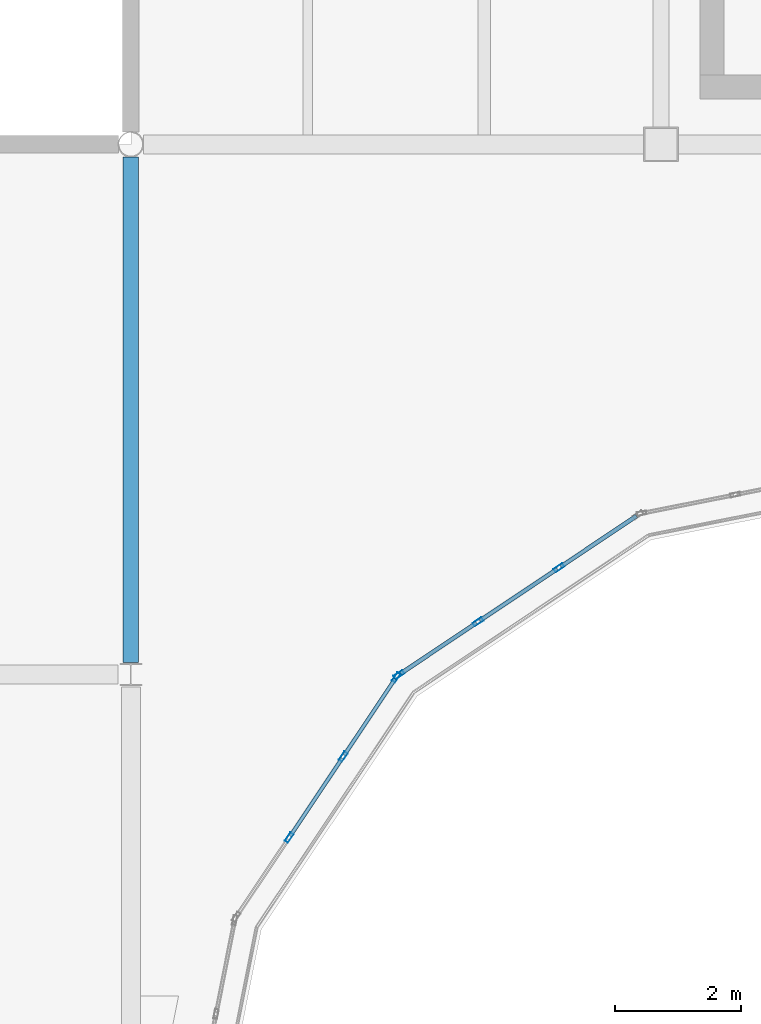
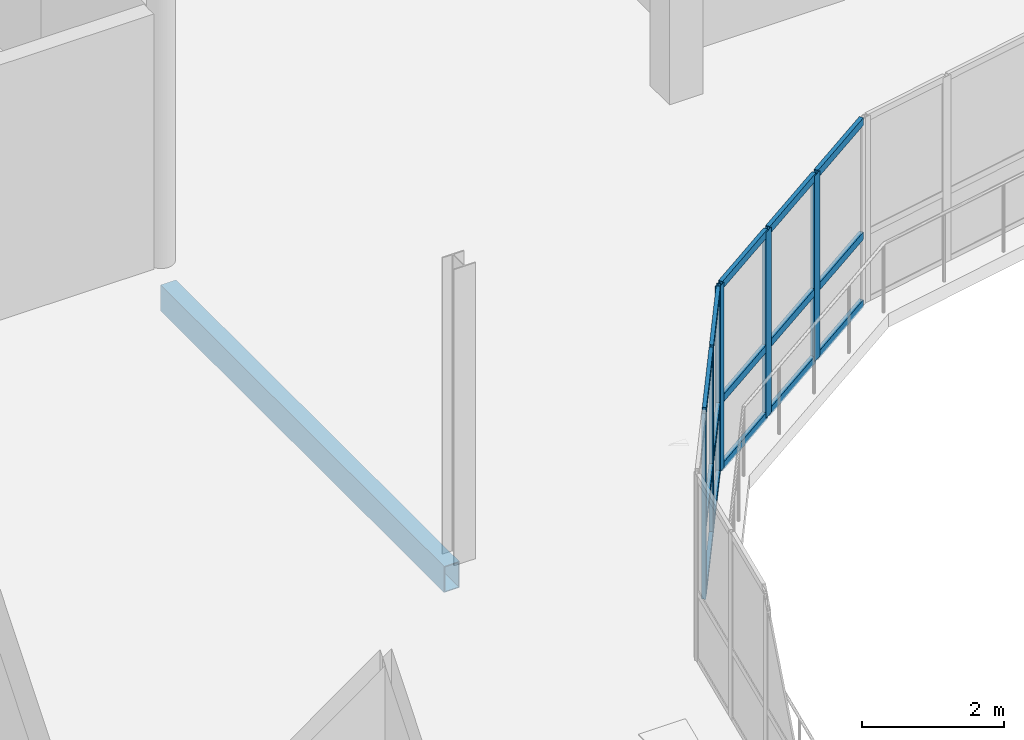
# One storey, part 26 of 103: 21 members, 1 beam, 2 elements without a shape of their own.
"""IFC4 building model written with IfcOpenShell, lengths in metres."""

from ifc_helpers import new_model, si_unit, direction, frame, origin, origin_2d, place, context, subcontext, project, spatial, hollow_rectangle, extrude, material, layer, layer_set, material_profile, profile_set, type_object, element, aggregate, save


model = new_model("IFC4")

# Units and contexts
model_context = context("Model", 3, precision=1e-05, world=origin(), true_north=direction((0.0, 1.0)))
body_context = subcontext(model_context, "Body", "Model", "MODEL_VIEW")
ifc_project = project(units=[si_unit("LENGTHUNIT", "METRE"), si_unit("AREAUNIT", "SQUARE_METRE"), si_unit("VOLUMEUNIT", "CUBIC_METRE"), si_unit("PLANEANGLEUNIT", "RADIAN"), si_unit("MASSUNIT", "GRAM", prefix="KILO"), si_unit("THERMODYNAMICTEMPERATUREUNIT", "KELVIN")], contexts=[model_context])

# Site, building, storey
site_placement = place(None, origin())
site = spatial("IfcSite", under=ifc_project, at=site_placement, CompositionType="ELEMENT")
building_placement = place(site_placement, origin())
building = spatial("IfcBuilding", under=site, at=building_placement, Name="Lustrewick Department Store", CompositionType="ELEMENT")
storey_placement = place(building_placement, frame((0.0, 0.0, 16.5)))
storey = spatial("IfcBuildingStorey", under=building, at=storey_placement, Name="L04", CompositionType="ELEMENT", Elevation=16.5)

# Curtain wall, members
ifc_material_1 = material(Name="Thermally broken aluminium 6063-T5", Category="aluminium")
ifc_layer_1 = layer(ifc_material_1, 0.169921875, Name="Thermally broken aluminium 6063-T5")
ifc_layer_set_1 = layer_set([ifc_layer_1], Name="Thermally broken aluminium 6063-T5")
curtain_wall_type_1 = type_object("IfcCurtainWallType", Name="CW16", PredefinedType="NOTDEFINED", material=ifc_layer_set_1)
curtain_wall_1_placement = place(storey_placement, origin())
curtain_wall_1 = element("IfcCurtainWall", 1, at=curtain_wall_1_placement, inside=storey, type_object=curtain_wall_type_1, Name="L04 Atrium Glazed Screen CW16", PredefinedType="NOTDEFINED")
ifc_material_profile_1 = material_profile(ifc_material_1, hollow_rectangle(XDim=0.06494140625, YDim=0.169921875, WallThickness=0.00390625, at=origin_2d()), Name="ALU-M 65x170x4")
ifc_profile_set_1 = profile_set([ifc_material_profile_1], Name="Thermally broken aluminium 6063-T5")
member_type_1 = type_object("IfcMemberType", Name="CW16-M1", PredefinedType="MULLION", material=ifc_profile_set_1)
member_1_placement = place(storey_placement, frame((23.583740234375, 77.291748046875, 0.0), z_axis=(0.0, 0.0, 1.0), x_axis=(0.555578313862, -0.831464212799, 0.0)))
member_1 = element("IfcMember", 2, at=member_1_placement, type_object=member_type_1, Name="CW16 mullion 2", PredefinedType="MULLION", context=body_context, shape_type="SweptSolid", body=[
    extrude(hollow_rectangle(XDim=0.06494140625, YDim=0.169921875, WallThickness=0.00390625, at=origin_2d()), origin(), (0.0, 0.0, 1.0), 3.199951171875),
])
member_2_placement = place(storey_placement, frame((22.30224609375, 76.435546875, 0.0), z_axis=(0.0, 0.0, 1.0), x_axis=(0.555578313862, -0.831464212799, 0.0)))
member_2 = element("IfcMember", 3, at=member_2_placement, type_object=member_type_1, Name="CW16 mullion 3", PredefinedType="MULLION", context=body_context, shape_type="SweptSolid", body=[
    extrude(hollow_rectangle(XDim=0.06494140625, YDim=0.169921875, WallThickness=0.00390625, at=origin_2d()), origin(), (0.0, 0.0, 1.0), 3.199951171875),
])
member_3_placement = place(storey_placement, frame((21.0478515625, 75.59716796875, 0.0), z_axis=(0.0, 0.0, 1.0), x_axis=(0.555578313862, -0.831464212799, 0.0)))
member_3 = element("IfcMember", 4, at=member_3_placement, type_object=member_type_1, Name="CW16 mullion 4", PredefinedType="MULLION", context=body_context, shape_type="SweptSolid", body=[
    extrude(hollow_rectangle(XDim=0.06494140625, YDim=0.169921875, WallThickness=0.00390625, at=origin_2d()), origin(), (0.0, 0.0, 1.0), 3.199951171875),
])
ifc_material_profile_2 = material_profile(ifc_material_1, hollow_rectangle(XDim=0.06494140625, YDim=0.1298828125, WallThickness=0.00341796875, at=origin_2d()), Name="ALU-T 65x130x3.5")
ifc_profile_set_2 = profile_set([ifc_material_profile_2], Name="Thermally broken aluminium 6063-T5")
member_type_2 = type_object("IfcMemberType", Name="CW16-T1", PredefinedType="USERDEFINED", material=ifc_profile_set_2)
member_4_placement = place(storey_placement, frame((24.81103515625, 78.11181640625, 0.032470703125), z_axis=(-0.831451344126, -0.555597572305, 0.0), x_axis=(0.555597572305, -0.831451344126, 0.0)))
member_4 = element("IfcMember", 5, at=member_4_placement, type_object=member_type_2, Name="CW16 transom 1.1", ObjectType="TRANSOM", PredefinedType="USERDEFINED", context=body_context, shape_type="SweptSolid", body=[
    extrude(hollow_rectangle(XDim=0.06494140625, YDim=0.1298828125, WallThickness=0.00341796875, at=origin_2d()), origin(), (0.0, 0.0, 1.0), 1.443603515625),
])
member_5_placement = place(storey_placement, frame((24.81103515625, 78.11181640625, 1.199951171875), z_axis=(-0.831451344126, -0.555597572305, 0.0), x_axis=(0.555597572305, -0.831451344126, 0.0)))
member_5 = element("IfcMember", 6, at=member_5_placement, type_object=member_type_2, Name="CW16 transom 1.2", ObjectType="TRANSOM", PredefinedType="USERDEFINED", context=body_context, shape_type="SweptSolid", body=[
    extrude(hollow_rectangle(XDim=0.06494140625, YDim=0.1298828125, WallThickness=0.00341796875, at=origin_2d()), origin(), (0.0, 0.0, 1.0), 1.443603515625),
])
member_6_placement = place(storey_placement, frame((24.81103515625, 78.11181640625, 3.16748046875), z_axis=(-0.831451344126, -0.555597572305, 0.0), x_axis=(0.555597572305, -0.831451344126, 0.0)))
member_6 = element("IfcMember", 7, at=member_6_placement, type_object=member_type_2, Name="CW16 transom 1.3", ObjectType="TRANSOM", PredefinedType="USERDEFINED", context=body_context, shape_type="SweptSolid", body=[
    extrude(hollow_rectangle(XDim=0.06494140625, YDim=0.1298828125, WallThickness=0.00341796875, at=origin_2d()), origin(), (0.0, 0.0, 1.0), 1.443603515625),
])
member_7_placement = place(storey_placement, frame((23.556640625, 77.273681640625, 0.032470703125), z_axis=(-0.831464570536, -0.555577778482, 0.0), x_axis=(0.555577778482, -0.831464570536, 0.0)))
member_7 = element("IfcMember", 8, at=member_7_placement, type_object=member_type_2, Name="CW16 transom 2.1", ObjectType="TRANSOM", PredefinedType="USERDEFINED", context=body_context, shape_type="SweptSolid", body=[
    extrude(hollow_rectangle(XDim=0.06494140625, YDim=0.1298828125, WallThickness=0.00341796875, at=origin_2d()), origin(), (0.0, 0.0, 1.0), 1.47607421875),
])
member_8_placement = place(storey_placement, frame((23.556640625, 77.273681640625, 1.199951171875), z_axis=(-0.831464570536, -0.555577778482, 0.0), x_axis=(0.555577778482, -0.831464570536, 0.0)))
member_8 = element("IfcMember", 9, at=member_8_placement, type_object=member_type_2, Name="CW16 transom 2.2", ObjectType="TRANSOM", PredefinedType="USERDEFINED", context=body_context, shape_type="SweptSolid", body=[
    extrude(hollow_rectangle(XDim=0.06494140625, YDim=0.1298828125, WallThickness=0.00341796875, at=origin_2d()), origin(), (0.0, 0.0, 1.0), 1.47607421875),
])
member_9_placement = place(storey_placement, frame((23.556640625, 77.273681640625, 3.16748046875), z_axis=(-0.831464570536, -0.555577778482, 0.0), x_axis=(0.555577778482, -0.831464570536, 0.0)))
member_9 = element("IfcMember", 10, at=member_9_placement, type_object=member_type_2, Name="CW16 transom 2.3", ObjectType="TRANSOM", PredefinedType="USERDEFINED", context=body_context, shape_type="SweptSolid", body=[
    extrude(hollow_rectangle(XDim=0.06494140625, YDim=0.1298828125, WallThickness=0.00341796875, at=origin_2d()), origin(), (0.0, 0.0, 1.0), 1.47607421875),
])
member_10_placement = place(storey_placement, frame((22.275146484375, 76.41748046875, 0.032470703125), z_axis=(-0.831373212471, -0.555714478474, 0.0), x_axis=(0.555714478474, -0.831373212471, 0.0)))
member_10 = element("IfcMember", 11, at=member_10_placement, type_object=member_type_2, Name="CW16 transom 3.1", ObjectType="TRANSOM", PredefinedType="USERDEFINED", context=body_context, shape_type="SweptSolid", body=[
    extrude(hollow_rectangle(XDim=0.06494140625, YDim=0.1298828125, WallThickness=0.00341796875, at=origin_2d()), origin(), (0.0, 0.0, 1.0), 1.443603515625),
])
member_11_placement = place(storey_placement, frame((22.275146484375, 76.41748046875, 1.199951171875), z_axis=(-0.831373212471, -0.555714478474, 0.0), x_axis=(0.555714478474, -0.831373212471, 0.0)))
member_11 = element("IfcMember", 12, at=member_11_placement, type_object=member_type_2, Name="CW16 transom 3.2", ObjectType="TRANSOM", PredefinedType="USERDEFINED", context=body_context, shape_type="SweptSolid", body=[
    extrude(hollow_rectangle(XDim=0.06494140625, YDim=0.1298828125, WallThickness=0.00341796875, at=origin_2d()), origin(), (0.0, 0.0, 1.0), 1.443603515625),
])
member_12_placement = place(storey_placement, frame((22.275146484375, 76.41748046875, 3.16748046875), z_axis=(-0.831373212471, -0.555714478474, 0.0), x_axis=(0.555714478474, -0.831373212471, 0.0)))
member_12 = element("IfcMember", 13, at=member_12_placement, type_object=member_type_2, Name="CW16 transom 3.3", ObjectType="TRANSOM", PredefinedType="USERDEFINED", context=body_context, shape_type="SweptSolid", body=[
    extrude(hollow_rectangle(XDim=0.06494140625, YDim=0.1298828125, WallThickness=0.00341796875, at=origin_2d()), origin(), (0.0, 0.0, 1.0), 1.443603515625),
])
aggregate(curtain_wall_1, [member_1, member_2, member_3, member_4, member_5, member_6, member_7, member_8, member_9, member_10, member_11, member_12])

ifc_layer_2 = layer(ifc_material_1, 0.159912109375, Name="Thermally broken aluminium 6063-T5")
ifc_layer_set_2 = layer_set([ifc_layer_2], Name="Thermally broken aluminium 6063-T5")
curtain_wall_type_2 = type_object("IfcCurtainWallType", Name="CW17", PredefinedType="NOTDEFINED", material=ifc_layer_set_2)
curtain_wall_2_placement = place(storey_placement, origin())
curtain_wall_2 = element("IfcCurtainWall", 14, at=curtain_wall_2_placement, inside=storey, type_object=curtain_wall_type_2, Name="L04 Atrium Glazed Screen CW17", PredefinedType="NOTDEFINED")
ifc_material_profile_3 = material_profile(ifc_material_1, hollow_rectangle(XDim=0.06005859375, YDim=0.159912109375, WallThickness=0.00390625, at=origin_2d()), Name="ALU-M 60x160x4")
ifc_profile_set_3 = profile_set([ifc_material_profile_3], Name="Thermally broken aluminium 6063-T5")
member_type_3 = type_object("IfcMemberType", Name="CW17-M1", PredefinedType="MULLION", material=ifc_profile_set_3)
member_13_placement = place(storey_placement, frame((21.004150390625, 75.55419921875, 0.0), z_axis=(0.0, 0.0, 1.0), x_axis=(0.831464212799, -0.555578313862, 0.0)))
member_13 = element("IfcMember", 15, at=member_13_placement, type_object=member_type_3, Name="CW17 mullion 1", PredefinedType="MULLION", context=body_context, shape_type="SweptSolid", body=[
    extrude(hollow_rectangle(XDim=0.06005859375, YDim=0.159912109375, WallThickness=0.00390625, at=origin_2d()), origin(), (0.0, 0.0, 1.0), 3.199951171875),
])
member_14_placement = place(storey_placement, frame((20.16455078125, 74.2978515625, 0.0), z_axis=(0.0, 0.0, 1.0), x_axis=(0.831464212799, -0.555578313862, 0.0)))
member_14 = element("IfcMember", 16, at=member_14_placement, type_object=member_type_3, Name="CW17 mullion 2", PredefinedType="MULLION", context=body_context, shape_type="SweptSolid", body=[
    extrude(hollow_rectangle(XDim=0.06005859375, YDim=0.159912109375, WallThickness=0.00390625, at=origin_2d()), origin(), (0.0, 0.0, 1.0), 3.199951171875),
])
member_15_placement = place(storey_placement, frame((19.308349609375, 73.016357421875, 0.0), z_axis=(0.0, 0.0, 1.0), x_axis=(0.831464212799, -0.555578313862, 0.0)))
member_15 = element("IfcMember", 17, at=member_15_placement, type_object=member_type_3, Name="CW17 mullion 3", PredefinedType="MULLION", context=body_context, shape_type="SweptSolid", body=[
    extrude(hollow_rectangle(XDim=0.06005859375, YDim=0.159912109375, WallThickness=0.00390625, at=origin_2d()), origin(), (0.0, 0.0, 1.0), 3.199951171875),
])
ifc_material_profile_4 = material_profile(ifc_material_1, hollow_rectangle(XDim=0.06005859375, YDim=0.1201171875, WallThickness=0.00341796875, at=origin_2d()), Name="ALU-T 60x120x3.5")
ifc_profile_set_4 = profile_set([ifc_material_profile_4], Name="Thermally broken aluminium 6063-T5")
member_type_4 = type_object("IfcMemberType", Name="CW17-T1", PredefinedType="USERDEFINED", material=ifc_profile_set_4)
member_16_placement = place(storey_placement, frame((20.987548828125, 75.529296875, 0.030029296875), z_axis=(-0.555670388234, -0.831402682002, 0.0), x_axis=(0.831402682002, -0.555670388234, 0.0)))
member_16 = element("IfcMember", 18, at=member_16_placement, type_object=member_type_4, Name="CW17 transom 1.1", ObjectType="TRANSOM", PredefinedType="USERDEFINED", context=body_context, shape_type="SweptSolid", body=[
    extrude(hollow_rectangle(XDim=0.06005859375, YDim=0.1201171875, WallThickness=0.00341796875, at=origin_2d()), origin(), (0.0, 0.0, 1.0), 1.451171875),
])
member_17_placement = place(storey_placement, frame((20.987548828125, 75.529296875, 1.199951171875), z_axis=(-0.555670388234, -0.831402682002, 0.0), x_axis=(0.831402682002, -0.555670388234, 0.0)))
member_17 = element("IfcMember", 19, at=member_17_placement, type_object=member_type_4, Name="CW17 transom 1.2", ObjectType="TRANSOM", PredefinedType="USERDEFINED", context=body_context, shape_type="SweptSolid", body=[
    extrude(hollow_rectangle(XDim=0.06005859375, YDim=0.1201171875, WallThickness=0.00341796875, at=origin_2d()), origin(), (0.0, 0.0, 1.0), 1.451171875),
])
member_18_placement = place(storey_placement, frame((20.987548828125, 75.529296875, 3.169921875), z_axis=(-0.555670388234, -0.831402682002, 0.0), x_axis=(0.831402682002, -0.555670388234, 0.0)))
member_18 = element("IfcMember", 20, at=member_18_placement, type_object=member_type_4, Name="CW17 transom 1.3", ObjectType="TRANSOM", PredefinedType="USERDEFINED", context=body_context, shape_type="SweptSolid", body=[
    extrude(hollow_rectangle(XDim=0.06005859375, YDim=0.1201171875, WallThickness=0.00341796875, at=origin_2d()), origin(), (0.0, 0.0, 1.0), 1.451171875),
])
member_19_placement = place(storey_placement, frame((20.14794921875, 74.272705078125, 0.030029296875), z_axis=(-0.555650791413, -0.83141577926, 0.0), x_axis=(0.83141577926, -0.555650791413, 0.0)))
member_19 = element("IfcMember", 21, at=member_19_placement, type_object=member_type_4, Name="CW17 transom 2.1", ObjectType="TRANSOM", PredefinedType="USERDEFINED", context=body_context, shape_type="SweptSolid", body=[
    extrude(hollow_rectangle(XDim=0.06005859375, YDim=0.1201171875, WallThickness=0.00341796875, at=origin_2d()), origin(), (0.0, 0.0, 1.0), 1.481201171875),
])
member_20_placement = place(storey_placement, frame((20.14794921875, 74.272705078125, 1.199951171875), z_axis=(-0.555650791413, -0.83141577926, 0.0), x_axis=(0.83141577926, -0.555650791413, 0.0)))
member_20 = element("IfcMember", 22, at=member_20_placement, type_object=member_type_4, Name="CW17 transom 2.2", ObjectType="TRANSOM", PredefinedType="USERDEFINED", context=body_context, shape_type="SweptSolid", body=[
    extrude(hollow_rectangle(XDim=0.06005859375, YDim=0.1201171875, WallThickness=0.00341796875, at=origin_2d()), origin(), (0.0, 0.0, 1.0), 1.481201171875),
])
member_21_placement = place(storey_placement, frame((20.14794921875, 74.272705078125, 3.169921875), z_axis=(-0.555650791413, -0.83141577926, 0.0), x_axis=(0.83141577926, -0.555650791413, 0.0)))
member_21 = element("IfcMember", 23, at=member_21_placement, type_object=member_type_4, Name="CW17 transom 2.3", ObjectType="TRANSOM", PredefinedType="USERDEFINED", context=body_context, shape_type="SweptSolid", body=[
    extrude(hollow_rectangle(XDim=0.06005859375, YDim=0.1201171875, WallThickness=0.00341796875, at=origin_2d()), origin(), (0.0, 0.0, 1.0), 1.481201171875),
])
aggregate(curtain_wall_2, [member_13, member_14, member_15, member_16, member_17, member_18, member_19, member_20, member_21])

# Beam
ifc_material_2 = material(Name="Structural steel Q355C", Category="steel")
ifc_material_profile_5 = material_profile(ifc_material_2, hollow_rectangle(XDim=0.25, YDim=0.449951171875, WallThickness=0.013916015625, at=origin_2d()), Name="RHS 450x250x14")
ifc_profile_set_5 = profile_set([ifc_material_profile_5], Name="Structural steel Q355C")
beam_type = type_object("IfcBeamType", Name="G18", PredefinedType="BEAM", material=ifc_profile_set_5)
beam_placement = place(storey_placement, frame((16.800048828125, 75.7939453125, -0.47998046875), z_axis=(0.0, 1.0, 0.0), x_axis=(-1.0, 0.0, 0.0)))
element("IfcBeam", 24, at=beam_placement, inside=storey, type_object=beam_type, Name="L04 V1 Girder G18", PredefinedType="BEAM", context=body_context, shape_type="SweptSolid", body=[
    extrude(hollow_rectangle(XDim=0.25, YDim=0.449951171875, WallThickness=0.013916015625, at=origin_2d()), origin(), (0.0, 0.0, 1.0), 8.003173828125),
])

save(model, "model.ifc")
